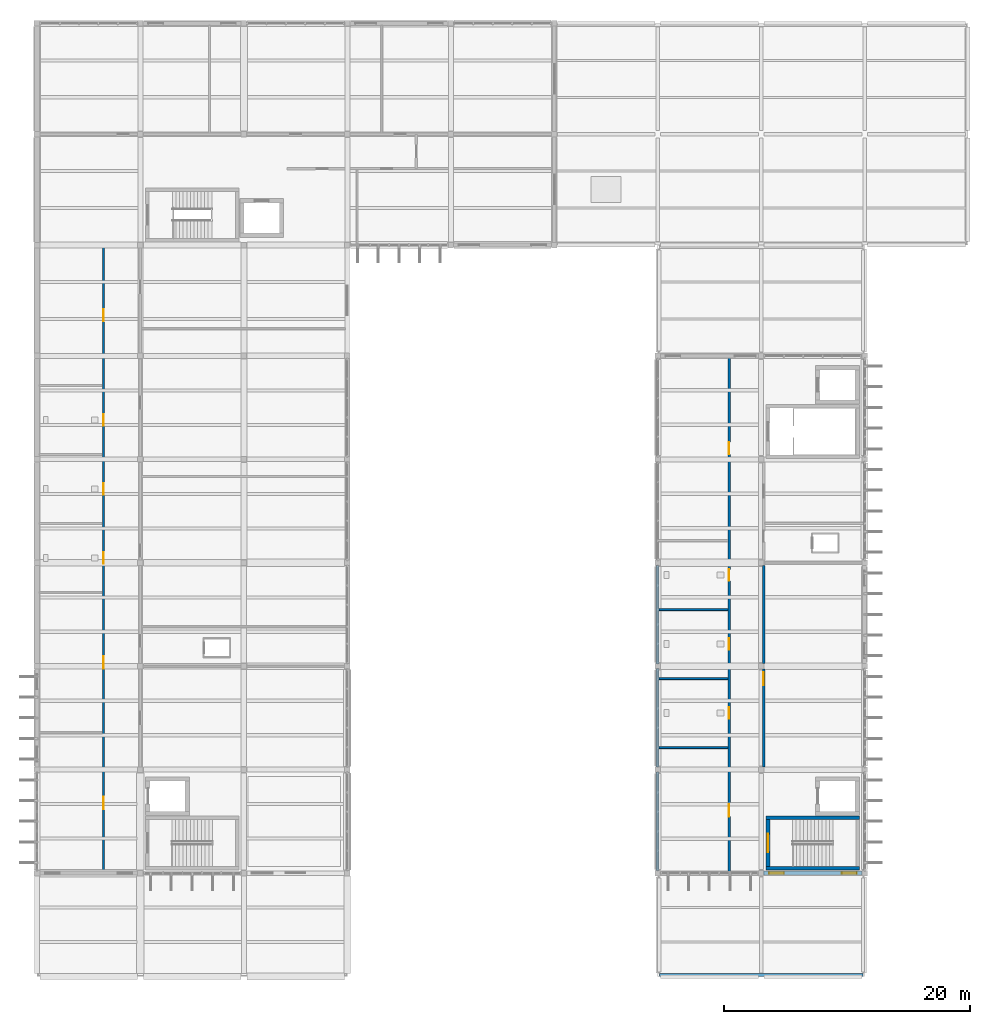
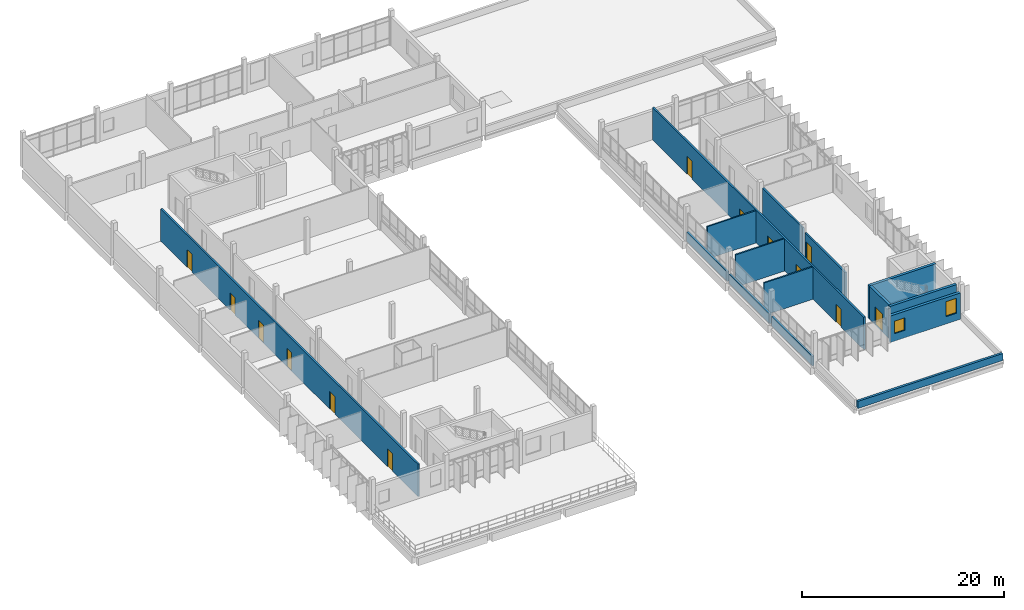
# One storey, part 51 of 62: 15 walls, 13 doors, 2 windows, 15 openings.
"""IFC4 building model written with IfcOpenShell, lengths in metres."""

from ifc_helpers import new_model, si_unit, direction, frame, frame_2d, origin, place, context, subcontext, project, spatial, rectangle, extrude, material, layer, layer_set, type_object, element, fill, save


model = new_model("IFC4")

# Units and contexts
model_context = context("Model", 3, precision=1e-05, world=origin(), true_north=direction((0.0, 1.0)))
body_context = subcontext(model_context, "Body", "Model", "MODEL_VIEW")
ifc_project = project(units=[si_unit("LENGTHUNIT", "METRE"), si_unit("AREAUNIT", "SQUARE_METRE"), si_unit("VOLUMEUNIT", "CUBIC_METRE"), si_unit("PLANEANGLEUNIT", "RADIAN"), si_unit("MASSUNIT", "GRAM", prefix="KILO")], contexts=[model_context])

# Site, building, storey
site_placement = place(None, origin())
site = spatial("IfcSite", under=ifc_project, at=site_placement, CompositionType="ELEMENT")
building_placement = place(site_placement, origin())
building = spatial("IfcBuilding", under=site, at=building_placement, Name="Vireocrest Preparatory School", CompositionType="ELEMENT")
storey_placement = place(building_placement, frame((0.0, 0.0, 17.39990234375)))
storey = spatial("IfcBuildingStorey", under=building, at=storey_placement, Name="L04", CompositionType="ELEMENT", Elevation=17.39990234375)

# Wall, openings, doors
ifc_material_1 = material(Name="Gypsum board on cold-formed steel studs", Category="steel")
ifc_layer_1 = layer(ifc_material_1, 0.199951171875)
ifc_layer_set_1 = layer_set([ifc_layer_1], Name="Gypsum board on cold-formed steel studs")
wall_type_1 = type_object("IfcWallType", Name="Corridor One-Hour Fire Partition 200", PredefinedType="PARTITIONING", material=ifc_layer_set_1)
wall_1_placement = place(storey_placement, frame((47.39990234375, 43.965087890625, 0.0), z_axis=(0.0, 0.0, 1.0), x_axis=(0.0, 1.0, 0.0)))
wall_1 = element("IfcWall", 1, at=wall_1_placement, inside=storey, type_object=wall_type_1, Name="Interior Partition W06 IW_L04_0295", PredefinedType="PARTITIONING", context=body_context, shape_type="SweptSolid", body=[
    extrude(rectangle(XDim=50.824951171875, YDim=0.199951171875, at=frame_2d((25.41259765625, 0.0))), origin(), (0.0, 0.0, 1.0), 3.900146484375),
])
opening_1_placement = place(wall_1_placement, frame((5.034912109375, 0.0, 0.0)))
opening_1 = element("IfcOpeningElement", 2, at=opening_1_placement, cuts=wall_1, Name="Opening D-L04-W4W01", PredefinedType="OPENING", context=body_context, shape_type="SweptSolid", body=[
    extrude(rectangle(XDim=1.0, YDim=2.14990234375, at=frame_2d((0.5, 1.074951171875))), frame((0.0, 0.10986328125, 0.0), z_axis=(0.0, -1.0, 0.0), x_axis=(1.0, 0.0, 0.0)), (0.0, 0.0, 1.0), 0.219970703125),
])
opening_2_placement = place(wall_1_placement, frame((16.43505859375, 0.0, 0.0)))
opening_2 = element("IfcOpeningElement", 3, at=opening_2_placement, cuts=wall_1, Name="Opening D-L04-W4W02", PredefinedType="OPENING", context=body_context, shape_type="SweptSolid", body=[
    extrude(rectangle(XDim=1.0, YDim=2.14990234375, at=frame_2d((0.5, 1.074951171875))), frame((0.0, 0.10986328125, 0.0), z_axis=(0.0, -1.0, 0.0), x_axis=(1.0, 0.0, 0.0)), (0.0, 0.0, 1.0), 0.219970703125),
])
opening_3_placement = place(wall_1_placement, frame((24.9599609375, 0.0, 0.0)))
opening_3 = element("IfcOpeningElement", 4, at=opening_3_placement, cuts=wall_1, Name="Opening D-L04-W4W03", PredefinedType="OPENING", context=body_context, shape_type="SweptSolid", body=[
    extrude(rectangle(XDim=0.949951171875, YDim=2.199951171875, at=frame_2d((0.47509765625, 1.10009765625))), frame((0.0, 0.10986328125, 0.0), z_axis=(0.0, -1.0, 0.0), x_axis=(1.0, 0.0, 0.0)), (0.0, 0.0, 1.0), 0.219970703125),
])
opening_4_placement = place(wall_1_placement, frame((30.56005859375, 0.0, 0.0)))
opening_4 = element("IfcOpeningElement", 5, at=opening_4_placement, cuts=wall_1, Name="Opening D-L04-W4W04", PredefinedType="OPENING", context=body_context, shape_type="SweptSolid", body=[
    extrude(rectangle(XDim=0.949951171875, YDim=2.199951171875, at=frame_2d((0.47509765625, 1.10009765625))), frame((0.0, 0.10986328125, 0.0), z_axis=(0.0, -1.0, 0.0), x_axis=(1.0, 0.0, 0.0)), (0.0, 0.0, 1.0), 0.219970703125),
])
opening_5_placement = place(wall_1_placement, frame((36.159912109375, 0.0, 0.0)))
opening_5 = element("IfcOpeningElement", 6, at=opening_5_placement, cuts=wall_1, Name="Opening D-L04-W4W05", PredefinedType="OPENING", context=body_context, shape_type="SweptSolid", body=[
    extrude(rectangle(XDim=0.949951171875, YDim=2.10009765625, at=frame_2d((0.47509765625, 1.050048828125))), frame((0.0, 0.10986328125, 0.0), z_axis=(0.0, -1.0, 0.0), x_axis=(1.0, 0.0, 0.0)), (0.0, 0.0, 1.0), 0.219970703125),
])
opening_6_placement = place(wall_1_placement, frame((44.635009765625, 0.0, 0.0)))
opening_6 = element("IfcOpeningElement", 7, at=opening_6_placement, cuts=wall_1, Name="Opening D-L04-W4W06", PredefinedType="OPENING", context=body_context, shape_type="SweptSolid", body=[
    extrude(rectangle(XDim=1.0, YDim=2.14990234375, at=frame_2d((0.5, 1.074951171875))), frame((0.0, 0.10986328125, 0.0), z_axis=(0.0, -1.0, 0.0), x_axis=(1.0, 0.0, 0.0)), (0.0, 0.0, 1.0), 0.219970703125),
])
ifc_material_2 = material(Name="Solid-core architectural birch timber", Category="wood")
door_type_1 = type_object("IfcDoorType", Name="Accessible WC Timber Door 950x2100", OperationType="NOTDEFINED", PredefinedType="DOOR", material=ifc_material_2)
door_1_placement = place(opening_5_placement, origin())
door_1 = element("IfcDoor", 8, at=door_1_placement, inside=storey, type_object=door_type_1, Name="Interior Door D-L04-W4W05", OperationType="SINGLE_SWING_RIGHT", OverallHeight=2.10009765625, OverallWidth=0.949951171875, PredefinedType="DOOR", context=body_context, shape_type="SweptSolid", body=[
    extrude(rectangle(XDim=0.949951171875, YDim=2.10009765625, at=frame_2d((0.47509765625, 1.050048828125))), frame((0.0, 0.02490234375, 0.0), z_axis=(0.0, -1.0, 0.0), x_axis=(1.0, 0.0, 0.0)), (0.0, 0.0, 1.0), 0.050048828125),
])
fill(opening_5, door_1)
door_type_2 = type_object("IfcDoorType", Name="Classroom Acoustic Timber Door 1000x2150", OperationType="NOTDEFINED", PredefinedType="DOOR", material=ifc_material_2)
door_2_placement = place(opening_1_placement, origin())
door_2 = element("IfcDoor", 9, at=door_2_placement, inside=storey, type_object=door_type_2, Name="Interior Door D-L04-W4W01", OperationType="SINGLE_SWING_RIGHT", OverallHeight=2.14990234375, OverallWidth=1.0, PredefinedType="DOOR", context=body_context, shape_type="SweptSolid", body=[
    extrude(rectangle(XDim=1.0, YDim=2.14990234375, at=frame_2d((0.5, 1.074951171875))), frame((0.0, 0.02490234375, 0.0), z_axis=(0.0, -1.0, 0.0), x_axis=(1.0, 0.0, 0.0)), (0.0, 0.0, 1.0), 0.050048828125),
])
fill(opening_1, door_2)
door_3_placement = place(opening_2_placement, origin())
door_3 = element("IfcDoor", 10, at=door_3_placement, inside=storey, type_object=door_type_2, Name="Interior Door D-L04-W4W02", OperationType="SINGLE_SWING_LEFT", OverallHeight=2.14990234375, OverallWidth=1.0, PredefinedType="DOOR", context=body_context, shape_type="SweptSolid", body=[
    extrude(rectangle(XDim=1.0, YDim=2.14990234375, at=frame_2d((0.5, 1.074951171875))), frame((0.0, 0.02490234375, 0.0), z_axis=(0.0, -1.0, 0.0), x_axis=(1.0, 0.0, 0.0)), (0.0, 0.0, 1.0), 0.050048828125),
])
fill(opening_2, door_3)
door_4_placement = place(opening_6_placement, origin())
door_4 = element("IfcDoor", 11, at=door_4_placement, inside=storey, type_object=door_type_2, Name="Interior Door D-L04-W4W06", OperationType="SINGLE_SWING_LEFT", OverallHeight=2.14990234375, OverallWidth=1.0, PredefinedType="DOOR", context=body_context, shape_type="SweptSolid", body=[
    extrude(rectangle(XDim=1.0, YDim=2.14990234375, at=frame_2d((0.5, 1.074951171875))), frame((0.0, 0.02490234375, 0.0), z_axis=(0.0, -1.0, 0.0), x_axis=(1.0, 0.0, 0.0)), (0.0, 0.0, 1.0), 0.050048828125),
])
fill(opening_6, door_4)
door_type_3 = type_object("IfcDoorType", Name="Student Washroom Door 950x2200", OperationType="NOTDEFINED", PredefinedType="DOOR", material=ifc_material_2)
door_5_placement = place(opening_3_placement, origin())
door_5 = element("IfcDoor", 12, at=door_5_placement, inside=storey, type_object=door_type_3, Name="Interior Door D-L04-W4W03", OperationType="SINGLE_SWING_RIGHT", OverallHeight=2.199951171875, OverallWidth=0.949951171875, PredefinedType="DOOR", context=body_context, shape_type="SweptSolid", body=[
    extrude(rectangle(XDim=0.949951171875, YDim=2.199951171875, at=frame_2d((0.47509765625, 1.10009765625))), frame((0.0, 0.02490234375, 0.0), z_axis=(0.0, -1.0, 0.0), x_axis=(1.0, 0.0, 0.0)), (0.0, 0.0, 1.0), 0.050048828125),
])
fill(opening_3, door_5)
door_6_placement = place(opening_4_placement, origin())
door_6 = element("IfcDoor", 13, at=door_6_placement, inside=storey, type_object=door_type_3, Name="Interior Door D-L04-W4W04", OperationType="SINGLE_SWING_LEFT", OverallHeight=2.199951171875, OverallWidth=0.949951171875, PredefinedType="DOOR", context=body_context, shape_type="SweptSolid", body=[
    extrude(rectangle(XDim=0.949951171875, YDim=2.199951171875, at=frame_2d((0.47509765625, 1.10009765625))), frame((0.0, 0.02490234375, 0.0), z_axis=(0.0, -1.0, 0.0), x_axis=(1.0, 0.0, 0.0)), (0.0, 0.0, 1.0), 0.050048828125),
])
fill(opening_4, door_6)

wall_2_placement = place(storey_placement, frame((98.199951171875, 43.905029296875, 0.0), z_axis=(0.0, 0.0, 1.0), x_axis=(0.0, 1.0, 0.0)))
wall_2 = element("IfcWall", 14, at=wall_2_placement, inside=storey, type_object=wall_type_1, Name="Interior Partition W06 IW_L04_0320", PredefinedType="PARTITIONING", context=body_context, shape_type="SweptSolid", body=[
    extrude(rectangle(XDim=41.72998046875, YDim=0.199951171875, at=frame_2d((20.864990234375, 0.0))), origin(), (0.0, 0.0, 1.0), 3.900146484375),
])
opening_7_placement = place(wall_2_placement, frame((4.4951171875, 0.0, 0.0)))
opening_7 = element("IfcOpeningElement", 15, at=opening_7_placement, cuts=wall_2, Name="Opening D-L04-E4W01", PredefinedType="OPENING", context=body_context, shape_type="SweptSolid", body=[
    extrude(rectangle(XDim=1.0, YDim=2.14990234375, at=frame_2d((0.5, 1.074951171875))), frame((0.0, 0.10986328125, 0.0), z_axis=(0.0, -1.0, 0.0), x_axis=(1.0, 0.0, 0.0)), (0.0, 0.0, 1.0), 0.219970703125),
])
opening_8_placement = place(wall_2_placement, frame((12.419921875, 0.0, 0.0)))
opening_8 = element("IfcOpeningElement", 16, at=opening_8_placement, cuts=wall_2, Name="Opening D-L04-E4W02", PredefinedType="OPENING", context=body_context, shape_type="SweptSolid", body=[
    extrude(rectangle(XDim=0.949951171875, YDim=2.199951171875, at=frame_2d((0.47509765625, 1.10009765625))), frame((0.0, 0.10986328125, 0.0), z_axis=(0.0, -1.0, 0.0), x_axis=(1.0, 0.0, 0.0)), (0.0, 0.0, 1.0), 0.219970703125),
])
opening_9_placement = place(wall_2_placement, frame((18.02001953125, 0.0, 0.0)))
opening_9 = element("IfcOpeningElement", 17, at=opening_9_placement, cuts=wall_2, Name="Opening D-L04-E4W03", PredefinedType="OPENING", context=body_context, shape_type="SweptSolid", body=[
    extrude(rectangle(XDim=0.949951171875, YDim=2.199951171875, at=frame_2d((0.47509765625, 1.10009765625))), frame((0.0, 0.10986328125, 0.0), z_axis=(0.0, -1.0, 0.0), x_axis=(1.0, 0.0, 0.0)), (0.0, 0.0, 1.0), 0.219970703125),
])
opening_10_placement = place(wall_2_placement, frame((23.6201171875, 0.0, 0.0)))
opening_10 = element("IfcOpeningElement", 18, at=opening_10_placement, cuts=wall_2, Name="Opening D-L04-E4W04", PredefinedType="OPENING", context=body_context, shape_type="SweptSolid", body=[
    extrude(rectangle(XDim=0.949951171875, YDim=2.10009765625, at=frame_2d((0.47509765625, 1.050048828125))), frame((0.0, 0.10986328125, 0.0), z_axis=(0.0, -1.0, 0.0), x_axis=(1.0, 0.0, 0.0)), (0.0, 0.0, 1.0), 0.219970703125),
])
opening_11_placement = place(wall_2_placement, frame((33.89501953125, 0.0, 0.0)))
opening_11 = element("IfcOpeningElement", 19, at=opening_11_placement, cuts=wall_2, Name="Opening D-L04-E4W05", PredefinedType="OPENING", context=body_context, shape_type="SweptSolid", body=[
    extrude(rectangle(XDim=1.0, YDim=2.14990234375, at=frame_2d((0.5, 1.074951171875))), frame((0.0, 0.10986328125, 0.0), z_axis=(0.0, -1.0, 0.0), x_axis=(1.0, 0.0, 0.0)), (0.0, 0.0, 1.0), 0.219970703125),
])
door_7_placement = place(opening_10_placement, origin())
door_7 = element("IfcDoor", 20, at=door_7_placement, inside=storey, type_object=door_type_1, Name="Interior Door D-L04-E4W04", OperationType="SINGLE_SWING_RIGHT", OverallHeight=2.10009765625, OverallWidth=0.949951171875, PredefinedType="DOOR", context=body_context, shape_type="SweptSolid", body=[
    extrude(rectangle(XDim=0.949951171875, YDim=2.10009765625, at=frame_2d((0.47509765625, 1.050048828125))), frame((0.0, 0.02490234375, 0.0), z_axis=(0.0, -1.0, 0.0), x_axis=(1.0, 0.0, 0.0)), (0.0, 0.0, 1.0), 0.050048828125),
])
fill(opening_10, door_7)
door_8_placement = place(opening_7_placement, origin())
door_8 = element("IfcDoor", 21, at=door_8_placement, inside=storey, type_object=door_type_2, Name="Interior Door D-L04-E4W01", OperationType="SINGLE_SWING_LEFT", OverallHeight=2.14990234375, OverallWidth=1.0, PredefinedType="DOOR", context=body_context, shape_type="SweptSolid", body=[
    extrude(rectangle(XDim=1.0, YDim=2.14990234375, at=frame_2d((0.5, 1.074951171875))), frame((0.0, 0.02490234375, 0.0), z_axis=(0.0, -1.0, 0.0), x_axis=(1.0, 0.0, 0.0)), (0.0, 0.0, 1.0), 0.050048828125),
])
fill(opening_7, door_8)
door_9_placement = place(opening_11_placement, origin())
door_9 = element("IfcDoor", 22, at=door_9_placement, inside=storey, type_object=door_type_2, Name="Interior Door D-L04-E4W05", OperationType="SINGLE_SWING_LEFT", OverallHeight=2.14990234375, OverallWidth=1.0, PredefinedType="DOOR", context=body_context, shape_type="SweptSolid", body=[
    extrude(rectangle(XDim=1.0, YDim=2.14990234375, at=frame_2d((0.5, 1.074951171875))), frame((0.0, 0.02490234375, 0.0), z_axis=(0.0, -1.0, 0.0), x_axis=(1.0, 0.0, 0.0)), (0.0, 0.0, 1.0), 0.050048828125),
])
fill(opening_11, door_9)
door_10_placement = place(opening_8_placement, origin())
door_10 = element("IfcDoor", 23, at=door_10_placement, inside=storey, type_object=door_type_3, Name="Interior Door D-L04-E4W02", OperationType="SINGLE_SWING_RIGHT", OverallHeight=2.199951171875, OverallWidth=0.949951171875, PredefinedType="DOOR", context=body_context, shape_type="SweptSolid", body=[
    extrude(rectangle(XDim=0.949951171875, YDim=2.199951171875, at=frame_2d((0.47509765625, 1.10009765625))), frame((0.0, 0.02490234375, 0.0), z_axis=(0.0, -1.0, 0.0), x_axis=(1.0, 0.0, 0.0)), (0.0, 0.0, 1.0), 0.050048828125),
])
fill(opening_8, door_10)
door_11_placement = place(opening_9_placement, origin())
door_11 = element("IfcDoor", 24, at=door_11_placement, inside=storey, type_object=door_type_3, Name="Interior Door D-L04-E4W03", OperationType="SINGLE_SWING_LEFT", OverallHeight=2.199951171875, OverallWidth=0.949951171875, PredefinedType="DOOR", context=body_context, shape_type="SweptSolid", body=[
    extrude(rectangle(XDim=0.949951171875, YDim=2.199951171875, at=frame_2d((0.47509765625, 1.10009765625))), frame((0.0, 0.02490234375, 0.0), z_axis=(0.0, -1.0, 0.0), x_axis=(1.0, 0.0, 0.0)), (0.0, 0.0, 1.0), 0.050048828125),
])
fill(opening_9, door_11)

# Wall, opening, door
wall_3_placement = place(storey_placement, frame((101.0, 52.43505859375, 0.0), z_axis=(0.0, 0.0, 1.0), x_axis=(0.0, 1.0, 0.0)))
wall_3 = element("IfcWall", 25, at=wall_3_placement, inside=storey, type_object=wall_type_1, Name="Interior Partition W06 IW_L04_0323", PredefinedType="PARTITIONING", context=body_context, shape_type="SweptSolid", body=[
    extrude(rectangle(XDim=7.929931640625, YDim=0.199951171875, at=frame_2d((3.96484375, 0.0))), origin(), (0.0, 0.0, 1.0), 3.130126953125),
])
opening_12_placement = place(wall_3_placement, frame((6.6298828125, 0.0, 0.0)))
opening_12 = element("IfcOpeningElement", 26, at=opening_12_placement, cuts=wall_3, Name="Opening D-L04-E4E01", PredefinedType="OPENING", context=body_context, shape_type="SweptSolid", body=[
    extrude(rectangle(XDim=1.050048828125, YDim=2.199951171875, at=frame_2d((0.52490234375, 1.10009765625))), frame((0.0, 0.10986328125, 0.0), z_axis=(0.0, -1.0, 0.0), x_axis=(1.0, 0.0, 0.0)), (0.0, 0.0, 1.0), 0.219970703125),
])
ifc_material_3 = material(Name="Painted galvanized hollow steel", Category="steel")
door_type_4 = type_object("IfcDoorType", Name="Laboratory Fire Door 1050x2200", OperationType="NOTDEFINED", PredefinedType="DOOR", material=ifc_material_3)
door_12_placement = place(opening_12_placement, origin())
door_12 = element("IfcDoor", 27, at=door_12_placement, inside=storey, type_object=door_type_4, Name="Interior Door D-L04-E4E01", OperationType="SINGLE_SWING_RIGHT", OverallHeight=2.199951171875, OverallWidth=1.050048828125, PredefinedType="DOOR", context=body_context, shape_type="SweptSolid", body=[
    extrude(rectangle(XDim=1.050048828125, YDim=2.199951171875, at=frame_2d((0.52490234375, 1.10009765625))), frame((0.0, 0.02490234375, 0.0), z_axis=(0.0, -1.0, 0.0), x_axis=(1.0, 0.0, 0.0)), (0.0, 0.0, 1.0), 0.050048828125),
])
fill(opening_12, door_12)

# Wall
wall_4_placement = place(storey_placement, frame((101.0, 60.8349609375, 0.0), z_axis=(0.0, 0.0, 1.0), x_axis=(0.0, 1.0, 0.0)))
element("IfcWall", 28, at=wall_4_placement, inside=storey, type_object=wall_type_1, Name="Interior Partition W06 IW_L04_0324", PredefinedType="PARTITIONING", context=body_context, shape_type="SweptSolid", body=[
    extrude(rectangle(XDim=7.929931640625, YDim=0.199951171875, at=frame_2d((3.96484375, 0.0))), origin(), (0.0, 0.0, 1.0), 3.43017578125),
])

# Wall, openings, windows
ifc_material_4 = material(Name="Precast white concrete 40 MPa", Category="concrete")
ifc_layer_2 = layer(ifc_material_4, 0.320068359375)
ifc_layer_set_2 = layer_set([ifc_layer_2], Name="Precast white concrete 40 MPa")
wall_type_2 = type_object("IfcWallType", Name="High-Tech Insulated Rainscreen External Wall 320", PredefinedType="SOLIDWALL", material=ifc_layer_set_2)
wall_5_placement = place(storey_placement, frame((101.0, 43.800048828125, 0.0), z_axis=(0.0, 0.0, 1.0), x_axis=(1.0, 0.0, 0.0)))
wall_5 = element("IfcWall", 29, at=wall_5_placement, inside=storey, type_object=wall_type_2, Name="External Wall W12 EW_L04_0387", PredefinedType="SOLIDWALL", context=body_context, shape_type="SweptSolid", body=[
    extrude(rectangle(XDim=8.0, YDim=0.320068359375, at=frame_2d((4.0, 0.0))), origin(), (0.0, 0.0, 1.0), 3.190185546875),
])
opening_13_placement = place(wall_5_placement, frame((0.449951171875, 0.0, 0.89990234375)))
opening_13 = element("IfcOpeningElement", 30, at=opening_13_placement, cuts=wall_5, Name="Opening WN01", PredefinedType="OPENING", context=body_context, shape_type="SweptSolid", body=[
    extrude(rectangle(XDim=1.199951171875, YDim=1.5, at=frame_2d((0.60009765625, 0.75))), frame((0.0, 0.169921875, 0.0), z_axis=(0.0, -1.0, 0.0), x_axis=(1.0, 0.0, 0.0)), (0.0, 0.0, 1.0), 0.340087890625),
])
opening_14_placement = place(wall_5_placement, frame((6.35009765625, 0.0, 0.89990234375)))
opening_14 = element("IfcOpeningElement", 31, at=opening_14_placement, cuts=wall_5, Name="Opening WN02", PredefinedType="OPENING", context=body_context, shape_type="SweptSolid", body=[
    extrude(rectangle(XDim=1.199951171875, YDim=1.800048828125, at=frame_2d((0.60009765625, 0.89990234375))), frame((0.0, 0.169921875, 0.0), z_axis=(0.0, -1.0, 0.0), x_axis=(1.0, 0.0, 0.0)), (0.0, 0.0, 1.0), 0.340087890625),
])
ifc_material_5 = material(Name="Thermally broken aluminium EN AW-6063-T6", Category="aluminium")
window_type_1 = type_object("IfcWindowType", Name="Counseling Window 1200x1800", PartitioningType="SINGLE_PANEL", PredefinedType="WINDOW", material=ifc_material_5)
window_1_placement = place(opening_14_placement, origin())
window_1 = element("IfcWindow", 32, at=window_1_placement, inside=storey, type_object=window_type_1, Name="Window W-L04-193 (WN02)", OverallHeight=1.800048828125, OverallWidth=1.199951171875, PartitioningType="SINGLE_PANEL", PredefinedType="WINDOW", context=body_context, shape_type="SweptSolid", body=[
    extrude(rectangle(XDim=1.199951171875, YDim=1.800048828125, at=frame_2d((0.60009765625, 0.89990234375))), frame((0.0, 0.030029296875, 0.0), z_axis=(0.0, -1.0, 0.0), x_axis=(1.0, 0.0, 0.0)), (0.0, 0.0, 1.0), 0.06005859375),
])
fill(opening_14, window_1)
window_type_2 = type_object("IfcWindowType", Name="Office Punched Window 1200x1500", PartitioningType="SINGLE_PANEL", PredefinedType="WINDOW", material=ifc_material_5)
window_2_placement = place(opening_13_placement, origin())
window_2 = element("IfcWindow", 33, at=window_2_placement, inside=storey, type_object=window_type_2, Name="Window W-L04-192 (WN01)", OverallHeight=1.5, OverallWidth=1.199951171875, PartitioningType="SINGLE_PANEL", PredefinedType="WINDOW", context=body_context, shape_type="SweptSolid", body=[
    extrude(rectangle(XDim=1.199951171875, YDim=1.5, at=frame_2d((0.60009765625, 0.75))), frame((0.0, 0.030029296875, 0.0), z_axis=(0.0, -1.0, 0.0), x_axis=(1.0, 0.0, 0.0)), (0.0, 0.0, 1.0), 0.06005859375),
])
fill(opening_13, window_2)

# Walls
ifc_layer_3 = layer(ifc_material_4, 0.260009765625)
ifc_layer_set_3 = layer_set([ifc_layer_3], Name="Precast white concrete 40 MPa")
wall_type_3 = type_object("IfcWallType", Name="Insulated Roof Parapet Wall 260", PredefinedType="PARAPET", material=ifc_layer_set_3)
wall_6_placement = place(storey_placement, frame((92.530029296875, 35.530029296875, 0.0), z_axis=(0.0, 0.0, 1.0), x_axis=(1.0, 0.0, 0.0)))
element("IfcWall", 34, at=wall_6_placement, inside=storey, type_object=wall_type_3, Name="Roof Parapet W09 L04_EAST_SETBACK_ROOF-17", PredefinedType="PARAPET", context=body_context, shape_type="SweptSolid", body=[
    extrude(rectangle(XDim=16.5400390625, YDim=0.260009765625, at=frame_2d((8.27001953125, 0.0))), origin(), (0.0, 0.0, 1.0), 0.85009765625),
])
ifc_layer_4 = layer(ifc_material_1, 0.159912109375)
ifc_layer_set_4 = layer_set([ifc_layer_4], Name="Gypsum board on cold-formed steel studs")
wall_type_4 = type_object("IfcWallType", Name="Laboratory Wet-Service Partition Wall 160", PredefinedType="PARTITIONING", material=ifc_layer_set_4)
for number, where, z_axis, x_axis, name in (
    (35, (92.52490234375, 54.0, 0.0), (0.0, 0.0, 1.0), (1.0, 0.0, 0.0), "Interior Partition W04 IW_L04_0316"),
    (36, (92.52490234375, 59.60009765625, 0.0), (0.0, 0.0, 1.0), (1.0, 0.0, 0.0), "Interior Partition W04 IW_L04_0317"),
    (37, (92.52490234375, 65.199951171875, 0.0), (0.0, 0.0, 1.0), (1.0, 0.0, 0.0), "Interior Partition W04 IW_L04_0318"),
):
    element("IfcWall", number, at=place(storey_placement, frame(where, z_axis=z_axis, x_axis=x_axis)), inside=storey, type_object=wall_type_4, Name=name, PredefinedType="PARTITIONING", context=body_context, shape_type="SweptSolid", body=[
        extrude(rectangle(XDim=5.570068359375, YDim=0.159912109375, at=frame_2d((2.78515625, 0.0))), origin(), (0.0, 0.0, 1.0), 3.900146484375),
    ])
ifc_material_6 = material(Name="Concrete 45 MPa", Category="concrete")
ifc_layer_5 = layer(ifc_material_6, 0.300048828125)
ifc_layer_set_5 = layer_set([ifc_layer_5], Name="Concrete 45 MPa")
wall_type_5 = type_object("IfcWallType", Name="Two-Hour RC Stair Shaft Shear Wall 300", PredefinedType="SHEAR", material=ifc_layer_set_5)
for number, where, z_axis, x_axis, name in (
    (38, (101.199951171875, 44.199951171875, 0.0), (0.0, 0.0, 1.0), (1.0, 0.0, 0.0), "Stair Core Shear Wall ST2 L04-S"),
    (39, (101.199951171875, 48.300048828125, 0.0), (0.0, 0.0, 1.0), (1.0, 0.0, 0.0), "Stair Core Shear Wall ST2 L04-N"),
):
    element("IfcWall", number, at=place(storey_placement, frame(where, z_axis=z_axis, x_axis=x_axis)), inside=storey, type_object=wall_type_5, Name=name, PredefinedType="SHEAR", context=body_context, shape_type="SweptSolid", body=[
        extrude(rectangle(XDim=7.60009765625, YDim=0.300048828125, at=frame_2d((3.800048828125, 0.0))), origin(), (0.0, 0.0, 1.0), 4.025146484375),
    ])

# Wall, opening, door
wall_7_placement = place(storey_placement, frame((101.35009765625, 44.35009765625, 0.0), z_axis=(0.0, 0.0, 1.0), x_axis=(0.0, 1.0, 0.0)))
wall_7 = element("IfcWall", 40, at=wall_7_placement, inside=storey, type_object=wall_type_5, Name="Stair Core Shear Wall ST2 L04-W", PredefinedType="SHEAR", context=body_context, shape_type="SweptSolid", body=[
    extrude(rectangle(XDim=3.7998046875, YDim=0.300048828125, at=frame_2d((1.89990234375, 0.0))), origin(), (0.0, 0.0, 1.0), 4.025146484375),
])
opening_15_placement = place(wall_7_placement, frame((1.14990234375, 0.0, 0.0)))
opening_15 = element("IfcOpeningElement", 41, at=opening_15_placement, cuts=wall_7, Name="Opening SD-ST2-L04", PredefinedType="OPENING", context=body_context, shape_type="SweptSolid", body=[
    extrude(rectangle(XDim=1.5, YDim=2.199951171875, at=frame_2d((0.75, 1.10009765625))), frame((0.0, 0.159912109375, 0.0), z_axis=(0.0, -1.0, 0.0), x_axis=(1.0, 0.0, 0.0)), (0.0, 0.0, 1.0), 0.320068359375),
])
door_type_5 = type_object("IfcDoorType", Name="Stair Enclosure Fire Door 1500x2200", OperationType="DOUBLE_DOOR_SINGLE_SWING", PredefinedType="DOOR", material=ifc_material_3)
door_13_placement = place(opening_15_placement, origin())
door_13 = element("IfcDoor", 42, at=door_13_placement, inside=storey, type_object=door_type_5, Name="Stair Enclosure Fire Door SD-ST2-L04", OperationType="DOUBLE_DOOR_SINGLE_SWING", OverallHeight=2.199951171875, OverallWidth=1.5, PredefinedType="DOOR", context=body_context, shape_type="SweptSolid", body=[
    extrude(rectangle(XDim=1.5, YDim=2.199951171875, at=frame_2d((0.75, 1.10009765625))), frame((0.0, 0.02490234375, 0.0), z_axis=(0.0, -1.0, 0.0), x_axis=(1.0, 0.0, 0.0)), (0.0, 0.0, 1.0), 0.050048828125),
])
fill(opening_15, door_13)

# Walls
ifc_layer_6 = layer(ifc_material_4, 0.239990234375)
ifc_layer_set_6 = layer_set([ifc_layer_6], Name="Precast white concrete 40 MPa")
wall_type_6 = type_object("IfcWallType", Name="White Precast Courtyard Spandrel Wall 240", PredefinedType="SOLIDWALL", material=ifc_layer_set_6)
for number, where, z_axis, x_axis, name in (
    (43, (92.39990234375, 44.0, 0.0), (0.0, 0.0, 1.0), (0.0, 1.0, 0.0), "External Wall W08 EW_L04_0381"),
    (44, (92.39990234375, 52.39990234375, 0.0), (0.0, 0.0, 1.0), (0.0, 1.0, 0.0), "External Wall W08 EW_L04_0382"),
    (45, (92.39990234375, 60.800048828125, 0.0), (0.0, 0.0, 1.0), (0.0, 1.0, 0.0), "External Wall W08 EW_L04_0383"),
):
    element("IfcWall", number, at=place(storey_placement, frame(where, z_axis=z_axis, x_axis=x_axis)), inside=storey, type_object=wall_type_6, Name=name, PredefinedType="SOLIDWALL", context=body_context, shape_type="SweptSolid", body=[
        extrude(rectangle(XDim=8.0, YDim=0.239990234375, at=frame_2d((4.0, 0.0))), origin(), (0.0, 0.0, 1.0), 1.150146484375),
    ])

save(model, "model.ifc")
